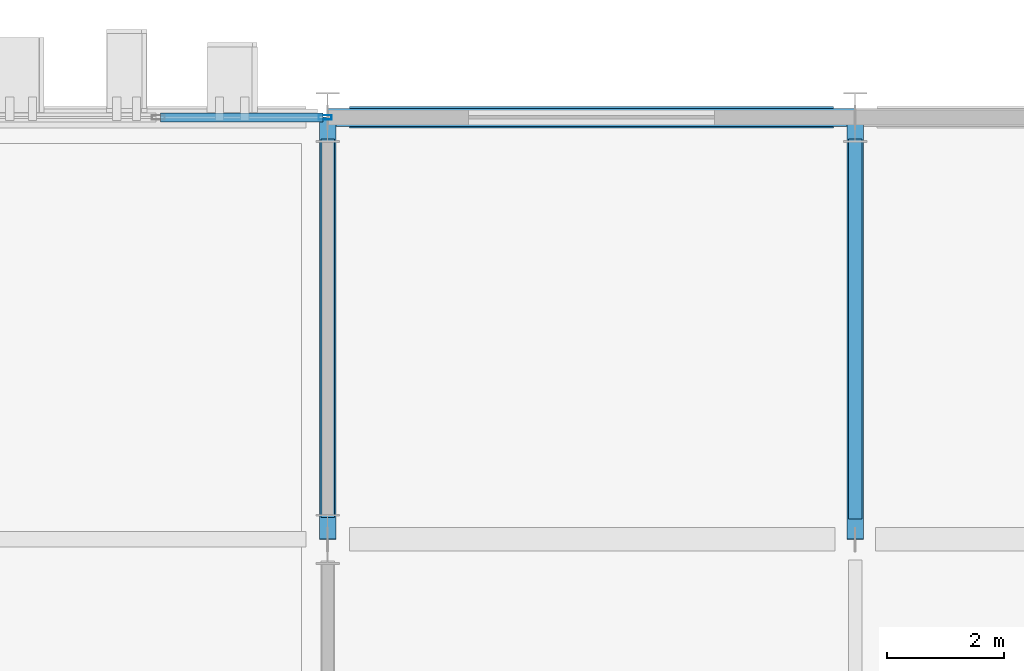
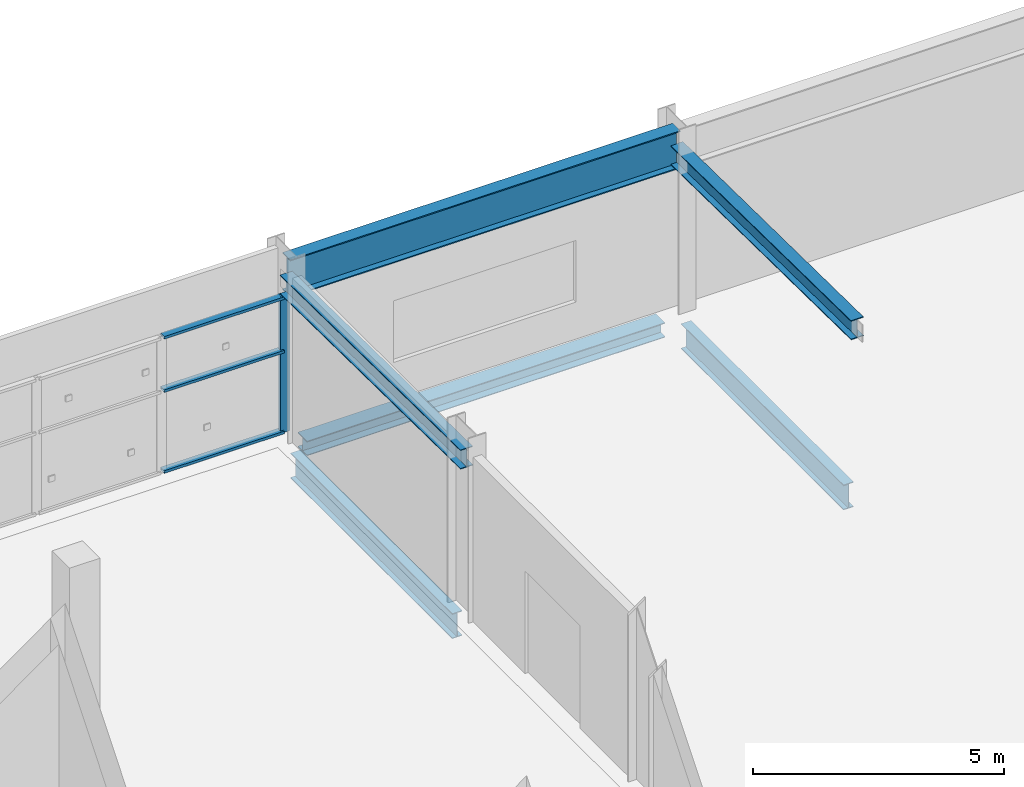
# One storey, part 50 of 151: 6 members, 4 beams, 1 element without a shape of its own.
"""IFC4 building model written with IfcOpenShell, lengths in metres."""

from ifc_helpers import new_model, si_unit, direction, frame, origin, origin_2d, place, context, subcontext, project, spatial, hollow_rectangle, i_section, extrude, material, layer, layer_set, material_profile, profile_set, type_object, element, aggregate, save


model = new_model("IFC4")

# Units and contexts
model_context = context("Model", 3, precision=1e-05, world=origin(), true_north=direction((0.0, 1.0)))
body_context = subcontext(model_context, "Body", "Model", "MODEL_VIEW")
ifc_project = project(units=[si_unit("LENGTHUNIT", "METRE"), si_unit("AREAUNIT", "SQUARE_METRE"), si_unit("VOLUMEUNIT", "CUBIC_METRE"), si_unit("PLANEANGLEUNIT", "RADIAN"), si_unit("MASSUNIT", "GRAM", prefix="KILO")], contexts=[model_context])

# Site, building, storey
site_placement = place(None, origin())
site = spatial("IfcSite", under=ifc_project, at=site_placement, CompositionType="ELEMENT")
building_placement = place(site_placement, origin())
building = spatial("IfcBuilding", under=site, at=building_placement, Name="Celestram Park Convention Centre", CompositionType="ELEMENT")
storey_placement = place(building_placement, frame((0.0, 0.0, 10.800048828125)))
storey = spatial("IfcBuildingStorey", under=building, at=storey_placement, Name="L02", CompositionType="ELEMENT", Elevation=10.800048828125)

# Curtain wall, members
ifc_material_1 = material(Name="Anodised Aluminium Alloy 6063-T6", Category="aluminium")
ifc_layer = layer(ifc_material_1, 0.179931640625)
ifc_layer_set = layer_set([ifc_layer], Name="Anodised Aluminium Alloy 6063-T6")
curtain_wall_type = type_object("IfcCurtainWallType", Name="ARC-CW-864X334", PredefinedType="NOTDEFINED", material=ifc_layer_set)
curtain_wall_placement = place(storey_placement, origin())
curtain_wall = element("IfcCurtainWall", 1, at=curtain_wall_placement, inside=storey, type_object=curtain_wall_type, Name="Unitised curtain wall CU-L02-145", PredefinedType="NOTDEFINED")
ifc_material_profile_1 = material_profile(ifc_material_1, hollow_rectangle(XDim=0.074951171875, YDim=0.219970703125, WallThickness=0.00390625, at=origin_2d()), Name="ALU75X220X4")
ifc_profile_set_1 = profile_set([ifc_material_profile_1], Name="Anodised Aluminium Alloy 6063-T6")
member_type_1 = type_object("IfcMemberType", Name="ARC-CWM-180", PredefinedType="MULLION", material=ifc_profile_set_1)
member_1_placement = place(storey_placement, frame((161.955322265625, 36.0, 0.0), z_axis=(0.0, 0.0, 1.0), x_axis=(0.0, 1.0, 0.0)))
member_1 = element("IfcMember", 2, at=member_1_placement, type_object=member_type_1, Name="CW-86X33 mullion 4", PredefinedType="MULLION", context=body_context, shape_type="SweptSolid", body=[
    extrude(hollow_rectangle(XDim=0.074951171875, YDim=0.219970703125, WallThickness=0.00390625, at=origin_2d()), origin(), (0.0, 0.0, 1.0), 3.3359375),
])
ifc_material_profile_2 = material_profile(ifc_material_1, hollow_rectangle(XDim=0.14990234375, YDim=0.06494140625, WallThickness=0.0029296875, at=origin_2d()), Name="ALU150X65X3")
ifc_profile_set_2 = profile_set([ifc_material_profile_2], Name="Anodised Aluminium Alloy 6063-T6")
member_type_2 = type_object("IfcMemberType", Name="ARC-CWT-150", PredefinedType="USERDEFINED", material=ifc_profile_set_2)
member_2_placement = place(storey_placement, frame((159.148681640625, 36.0, 0.032470703125), z_axis=(1.0, 0.0, 0.0), x_axis=(0.0, 1.0, 0.0)))
member_2 = element("IfcMember", 3, at=member_2_placement, type_object=member_type_2, Name="CW-86X33 transom 3.1", ObjectType="TRANSOM", PredefinedType="USERDEFINED", context=body_context, shape_type="SweptSolid", body=[
    extrude(hollow_rectangle(XDim=0.14990234375, YDim=0.06494140625, WallThickness=0.0029296875, at=origin_2d()), origin(), (0.0, 0.0, 1.0), 2.769287109375),
])
member_3_placement = place(storey_placement, frame((159.148681640625, 36.0, 2.001953125), z_axis=(1.0, 0.0, 0.0), x_axis=(0.0, 1.0, 0.0)))
member_3 = element("IfcMember", 4, at=member_3_placement, type_object=member_type_2, Name="CW-86X33 transom 3.2", ObjectType="TRANSOM", PredefinedType="USERDEFINED", context=body_context, shape_type="SweptSolid", body=[
    extrude(hollow_rectangle(XDim=0.14990234375, YDim=0.06494140625, WallThickness=0.0029296875, at=origin_2d()), origin(), (0.0, 0.0, 1.0), 2.769287109375),
])
member_4_placement = place(storey_placement, frame((159.148681640625, 36.0, 3.303466796875), z_axis=(1.0, 0.0, 0.0), x_axis=(0.0, 1.0, 0.0)))
member_4 = element("IfcMember", 5, at=member_4_placement, type_object=member_type_2, Name="CW-86X33 transom 3.3", ObjectType="TRANSOM", PredefinedType="USERDEFINED", context=body_context, shape_type="SweptSolid", body=[
    extrude(hollow_rectangle(XDim=0.14990234375, YDim=0.06494140625, WallThickness=0.0029296875, at=origin_2d()), origin(), (0.0, 0.0, 1.0), 2.769287109375),
])
aggregate(curtain_wall, [member_1, member_2, member_3, member_4])

# Beams
ifc_material_2 = material(Name="Steel ASTM A992 Grade 50", Category="steel")
ifc_material_profile_3 = material_profile(ifc_material_2, i_section(OverallWidth=0.22900390625, OverallDepth=0.612060546875, WebThickness=0.011962890625, FlangeThickness=0.01953125, at=origin_2d()), Name="W24X84")
ifc_profile_set_3 = profile_set([ifc_material_profile_3], Name="Steel ASTM A992 Grade 50")
beam_type_1 = type_object("IfcBeamType", Name="STR-BM-W24X84", PredefinedType="BEAM", material=ifc_profile_set_3)
beam_1_placement = place(storey_placement, frame((162.0, 29.173095703125, -0.5859375), z_axis=(0.0, 1.0, 0.0), x_axis=(-1.0, 0.0, 0.0)))
element("IfcBeam", 6, at=beam_1_placement, inside=storey, type_object=beam_type_1, Name="Primary Y-girder BG-L02-0293", PredefinedType="BEAM", context=body_context, shape_type="SweptSolid", body=[
    extrude(i_section(OverallWidth=0.22900390625, OverallDepth=0.612060546875, WebThickness=0.011962890625, FlangeThickness=0.01953125, at=origin_2d()), origin(), (0.0, 0.0, 1.0), 6.453857421875),
])
beam_2_placement = place(storey_placement, frame((171.0, 29.14794921875, -0.5859375), z_axis=(0.0, 1.0, 0.0), x_axis=(-1.0, 0.0, 0.0)))
element("IfcBeam", 7, at=beam_2_placement, inside=storey, type_object=beam_type_1, Name="Primary Y-girder BG-L02-0306", PredefinedType="BEAM", context=body_context, shape_type="SweptSolid", body=[
    extrude(i_section(OverallWidth=0.22900390625, OverallDepth=0.612060546875, WebThickness=0.011962890625, FlangeThickness=0.01953125, at=origin_2d()), origin(), (0.0, 0.0, 1.0), 6.47900390625),
])
ifc_material_profile_4 = material_profile(ifc_material_2, i_section(OverallWidth=0.304931640625, OverallDepth=0.9140625, WebThickness=0.0166015625, FlangeThickness=0.02587890625, at=origin_2d()), Name="W36X160")
ifc_profile_set_4 = profile_set([ifc_material_profile_4], Name="Steel ASTM A992 Grade 50")
beam_type_2 = type_object("IfcBeamType", Name="STR-BM-W36X160", PredefinedType="BEAM", material=ifc_profile_set_4)
beam_3_placement = place(storey_placement, frame((162.007080078125, 36.0, 3.79296875), z_axis=(1.0, 0.0, 0.0), x_axis=(0.0, 1.0, 0.0)))
element("IfcBeam", 8, at=beam_3_placement, inside=storey, type_object=beam_type_2, Name="Ballroom eaves girder BG-L02-0410", PredefinedType="BEAM", context=body_context, shape_type="SweptSolid", body=[
    extrude(i_section(OverallWidth=0.304931640625, OverallDepth=0.9140625, WebThickness=0.0166015625, FlangeThickness=0.02587890625, at=origin_2d()), origin(), (0.0, 0.0, 1.0), 8.98583984375),
])

# Members
ifc_material_profile_5 = material_profile(ifc_material_2, i_section(OverallWidth=0.281982421875, OverallDepth=0.467041015625, WebThickness=0.01220703125, FlangeThickness=0.01953125, at=origin_2d()), Name="W18X86")
ifc_profile_set_5 = profile_set([ifc_material_profile_5], Name="Steel ASTM A992 Grade 50")
member_type_3 = type_object("IfcMemberType", Name="STR-CHD-W18X86", PredefinedType="CHORD", material=ifc_profile_set_5)
for number, where, z_axis, x_axis, name in (
    (9, (162.0, 28.800048828125, 3.7080078125), (0.0, 0.999903373607, -0.013901203187), (-1.0, 0.0, 0.0), "V3 arch bottom chord"),
    (10, (171.0, 28.800048828125, 3.7080078125), (0.0, 0.999903373607, -0.013901203187), (-1.0, 0.0, 0.0), "V3 arch bottom chord"),
):
    element("IfcMember", number, at=place(storey_placement, frame(where, z_axis=z_axis, x_axis=x_axis)), inside=storey, type_object=member_type_3, Name=name, PredefinedType="CHORD", context=body_context, shape_type="SweptSolid", body=[
        extrude(i_section(OverallWidth=0.281982421875, OverallDepth=0.467041015625, WebThickness=0.01220703125, FlangeThickness=0.01953125, at=origin_2d()), origin(), (0.0, 0.0, 1.0), 7.20068359375),
    ])

# Beam
ifc_material_profile_6 = material_profile(ifc_material_2, i_section(OverallWidth=0.367919921875, OverallDepth=0.35595703125, WebThickness=0.01123046875, FlangeThickness=0.01806640625, at=origin_2d()), Name="W14X90")
ifc_profile_set_6 = profile_set([ifc_material_profile_6], Name="Steel ASTM A992 Grade 50")
beam_type_3 = type_object("IfcBeamType", Name="STR-SPN-W14X90", PredefinedType="SPANDREL", material=ifc_profile_set_6)
beam_4_placement = place(storey_placement, frame((162.373046875, 36.0, -0.4580078125), z_axis=(1.0, 0.0, 0.0), x_axis=(0.0, 1.0, 0.0)))
element("IfcBeam", 11, at=beam_4_placement, inside=storey, type_object=beam_type_3, Name="Primary X-girder BG-L02-0294", PredefinedType="SPANDREL", context=body_context, shape_type="SweptSolid", body=[
    extrude(i_section(OverallWidth=0.367919921875, OverallDepth=0.35595703125, WebThickness=0.01123046875, FlangeThickness=0.01806640625, at=origin_2d()), origin(), (0.0, 0.0, 1.0), 8.25390625),
])

save(model, "model.ifc")
